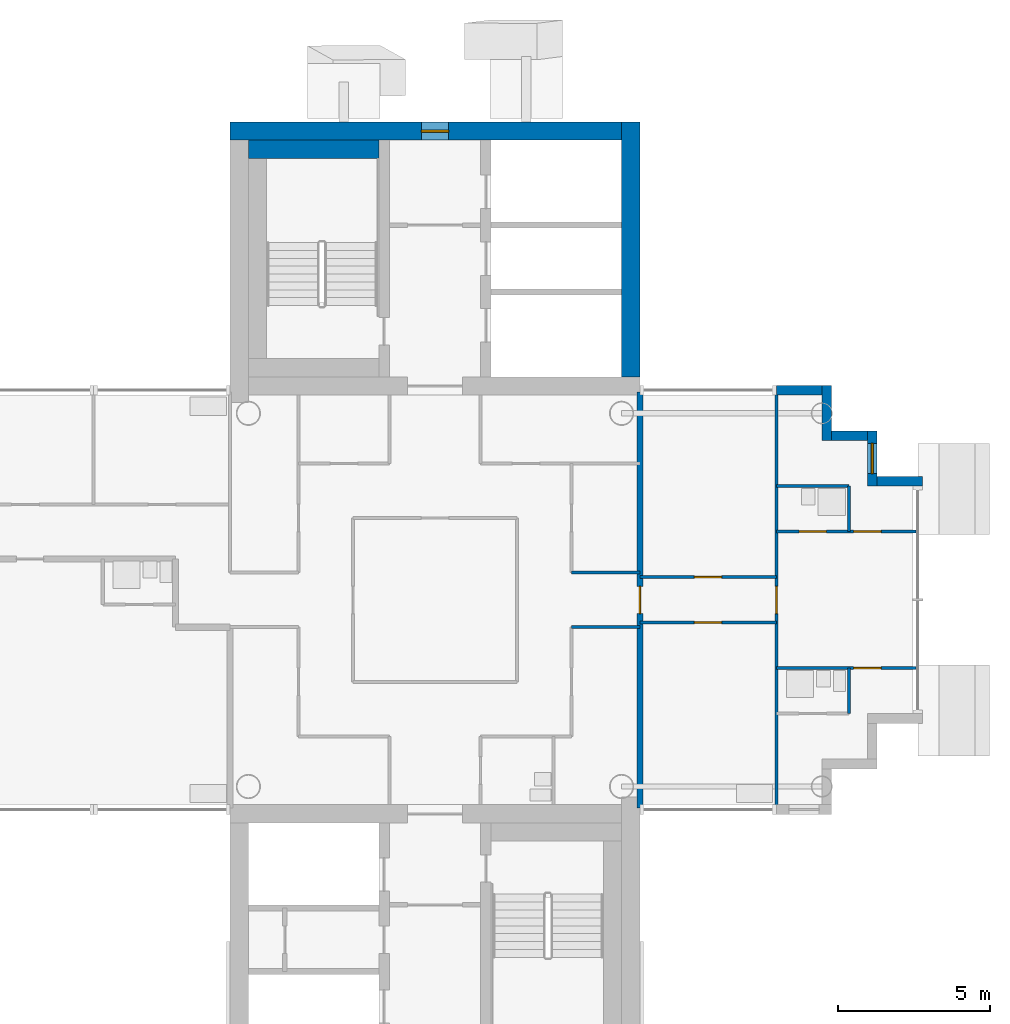
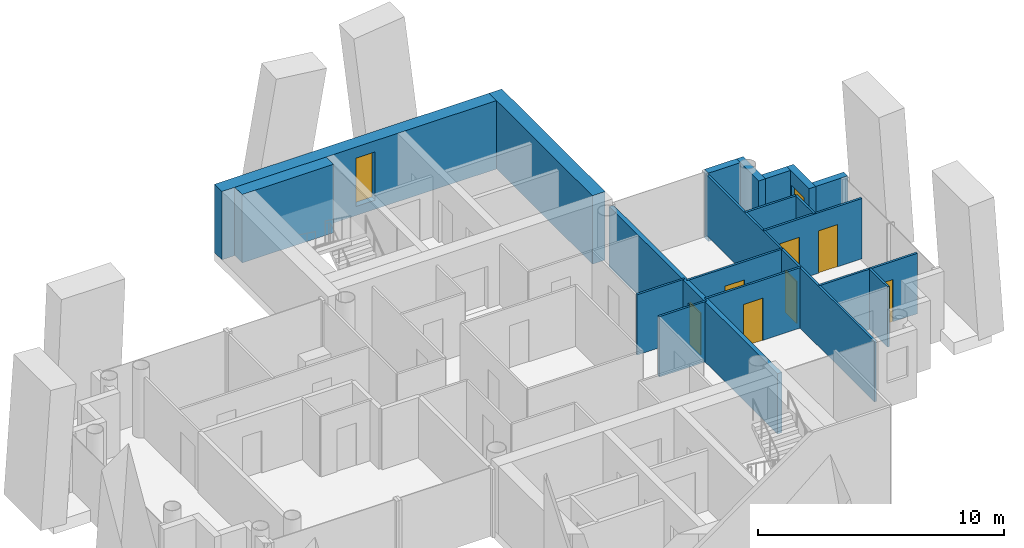
# One storey, part 11 of 19: 19 walls, 7 doors, 2 windows, 9 openings.
"""IFC4 building model written with IfcOpenShell, lengths in metres."""

from ifc_helpers import new_model, si_unit, direction, frame, frame_2d, origin, place, context, subcontext, project, spatial, rectangle, extrude, material, layer, layer_set, type_object, element, fill, save


model = new_model("IFC4")

# Units and contexts
model_context = context("Model", 3, precision=1e-05, world=origin(), true_north=direction((0.0, 1.0)))
body_context = subcontext(model_context, "Body", "Model", "MODEL_VIEW")
ifc_project = project(units=[si_unit("LENGTHUNIT", "METRE"), si_unit("AREAUNIT", "SQUARE_METRE"), si_unit("VOLUMEUNIT", "CUBIC_METRE"), si_unit("PLANEANGLEUNIT", "RADIAN"), si_unit("MASSUNIT", "GRAM", prefix="KILO")], contexts=[model_context])

# Site, building, storey
site_placement = place(None, origin())
site = spatial("IfcSite", under=ifc_project, at=site_placement, CompositionType="ELEMENT")
building_placement = place(site_placement, origin())
building = spatial("IfcBuilding", under=site, at=building_placement, Name="Ipe Terrace Towers", CompositionType="ELEMENT")
storey_placement = place(building_placement, frame((0.0, 0.0, 189.199951171875)))
storey = spatial("IfcBuildingStorey", under=building, at=storey_placement, Name="L52", CompositionType="ELEMENT", Elevation=189.199951171875)

# Wall
ifc_material_1 = material(Name="Concrete C40/50 with buff precast cladding", Category="concrete")
ifc_layer_1 = layer(ifc_material_1, 0.320068359375)
ifc_layer_set_1 = layer_set([ifc_layer_1], Name="BUFF CLADDING WALL 320")
wall_type_1 = type_object("IfcWallType", Name="BUFF CLADDING WALL 320", PredefinedType="STANDARD", material=ifc_layer_set_1)
wall_1_placement = place(storey_placement, frame((52.070068359375, 3.909912109375, -0.300048828125), z_axis=(0.0, 0.0, 1.0), x_axis=(-1.0, 0.0, 0.0)))
element("IfcWall", 1, at=wall_1_placement, inside=storey, type_object=wall_type_1, Name="T2-W-L52-09a wall", PredefinedType="STANDARD", context=body_context, shape_type="SweptSolid", body=[
    extrude(rectangle(XDim=1.5, YDim=0.320068359375, at=frame_2d((0.75, 0.0))), origin(), (0.0, 0.0, 1.0), 3.400146484375),
])

# Wall, opening, window
wall_2_placement = place(storey_placement, frame((50.409912109375, 3.75, -0.300048828125), z_axis=(0.0, 0.0, 1.0), x_axis=(0.0, 1.0, 0.0)))
wall_2 = element("IfcWall", 2, at=wall_2_placement, inside=storey, type_object=wall_type_1, Name="T2-W-L52-10a wall", PredefinedType="STANDARD", context=body_context, shape_type="SweptSolid", body=[
    extrude(rectangle(XDim=1.820068359375, YDim=0.320068359375, at=frame_2d((0.91015625, 0.0))), origin(), (0.0, 0.0, 1.0), 3.400146484375),
])
opening_1_placement = place(wall_2_placement, frame((0.409912109375, 0.0, 1.199951171875)))
opening_1 = element("IfcOpeningElement", 3, at=opening_1_placement, cuts=wall_2, Name="Opening T2-W-05-L52-01", PredefinedType="OPENING", context=body_context, shape_type="SweptSolid", body=[
    extrude(rectangle(XDim=1.0, YDim=1.5, at=frame_2d((0.5, 0.75))), frame((0.0, 0.169921875, 0.0), z_axis=(0.0, -1.0, 0.0), x_axis=(1.0, 0.0, 0.0)), (0.0, 0.0, 1.0), 0.340087890625),
])
ifc_material_2 = material(Name="Glass, clear laminated", Category="glass")
window_type_1 = type_object("IfcWindowType", Name="DWELLING WINDOW 1000 x 1500", PartitioningType="SINGLE_PANEL", PredefinedType="WINDOW", material=ifc_material_2)
window_1_placement = place(opening_1_placement, origin())
window_1 = element("IfcWindow", 4, at=window_1_placement, inside=storey, type_object=window_type_1, Name="W-05 window", OverallHeight=1.5, OverallWidth=1.0, PartitioningType="SINGLE_PANEL", PredefinedType="WINDOW", context=body_context, shape_type="SweptSolid", body=[
    extrude(rectangle(XDim=1.0, YDim=1.5, at=frame_2d((0.5, 0.75))), frame((0.0, 0.030029296875, 0.0), z_axis=(0.0, -1.0, 0.0), x_axis=(1.0, 0.0, 0.0)), (0.0, 0.0, 1.0), 0.06005859375),
])
fill(opening_1, window_1)

# Walls
wall_3_placement = place(storey_placement, frame((50.25, 5.409912109375, -0.300048828125), z_axis=(0.0, 0.0, 1.0), x_axis=(-1.0, 0.0, 0.0)))
element("IfcWall", 5, at=wall_3_placement, inside=storey, type_object=wall_type_1, Name="T2-W-L52-11a wall", PredefinedType="STANDARD", context=body_context, shape_type="SweptSolid", body=[
    extrude(rectangle(XDim=1.179931640625, YDim=0.320068359375, at=frame_2d((0.58984375, 0.0))), origin(), (0.0, 0.0, 1.0), 3.400146484375),
])
wall_4_placement = place(storey_placement, frame((48.909912109375, 5.25, -0.300048828125), z_axis=(0.0, 0.0, 1.0), x_axis=(0.0, 1.0, 0.0)))
element("IfcWall", 6, at=wall_4_placement, inside=storey, type_object=wall_type_1, Name="T2-W-L52-12a wall", PredefinedType="STANDARD", context=body_context, shape_type="SweptSolid", body=[
    extrude(rectangle(XDim=1.820068359375, YDim=0.320068359375, at=frame_2d((0.91015625, 0.0))), origin(), (0.0, 0.0, 1.0), 3.400146484375),
])
wall_5_placement = place(storey_placement, frame((48.75, 6.909912109375, -0.300048828125), z_axis=(0.0, 0.0, 1.0), x_axis=(-1.0, 0.0, 0.0)))
element("IfcWall", 7, at=wall_5_placement, inside=storey, type_object=wall_type_1, Name="T2-W-L52-13a wall", PredefinedType="STANDARD", context=body_context, shape_type="SweptSolid", body=[
    extrude(rectangle(XDim=1.5, YDim=0.320068359375, at=frame_2d((0.75, 0.0))), origin(), (0.0, 0.0, 1.0), 3.400146484375),
])

# Wall, opening, door
ifc_material_3 = material(Name="Gypsum board partition", Category="plasterboard")
ifc_layer_2 = layer(ifc_material_3, 0.10009765625)
ifc_layer_set_2 = layer_set([ifc_layer_2], Name="Gypsum board partition 100 mm")
wall_type_2 = type_object("IfcWallType", Name="Gypsum board partition 100 mm", PredefinedType="PARTITIONING", material=ifc_layer_set_2)
wall_6_placement = place(storey_placement, frame((51.85009765625, -2.25, 0.0), z_axis=(0.0, 0.0, 1.0), x_axis=(-1.0, 0.0, 0.0)))
wall_6 = element("IfcWall", 8, at=wall_6_placement, inside=storey, type_object=wall_type_2, Name="Gypsum board partition T2 L52 W05", PredefinedType="PARTITIONING", context=body_context, shape_type="SweptSolid", body=[
    extrude(rectangle(XDim=4.60009765625, YDim=0.10009765625, at=frame_2d((2.300048828125, 0.0))), origin(), (0.0, 0.0, 1.0), 3.0),
])
opening_2_placement = place(wall_6_placement, frame((1.14990234375, 0.0, 0.0)))
opening_2 = element("IfcOpeningElement", 9, at=opening_2_placement, cuts=wall_6, Name="Opening T2-Z4C-22", PredefinedType="OPENING", context=body_context, shape_type="SweptSolid", body=[
    extrude(rectangle(XDim=0.89990234375, YDim=2.10009765625, at=frame_2d((0.449951171875, 1.050048828125))), frame((0.0, 0.06005859375, 0.0), z_axis=(0.0, -1.0, 0.0), x_axis=(1.0, 0.0, 0.0)), (0.0, 0.0, 1.0), 0.1201171875),
])
ifc_material_4 = material(Name="Timber door leaf", Category="wood")
door_type_1 = type_object("IfcDoorType", Name="Bedroom door 900 x 2100", OperationType="NOTDEFINED", PredefinedType="DOOR", material=ifc_material_4)
door_1_placement = place(opening_2_placement, origin())
door_1 = element("IfcDoor", 10, at=door_1_placement, inside=storey, type_object=door_type_1, Name="Bedroom door T2-Z4C-22", OperationType="SINGLE_SWING_RIGHT", OverallHeight=2.10009765625, OverallWidth=0.89990234375, PredefinedType="DOOR", context=body_context, shape_type="SweptSolid", body=[
    extrude(rectangle(XDim=0.89990234375, YDim=2.10009765625, at=frame_2d((0.449951171875, 1.050048828125))), frame((0.0, 0.02490234375, 0.0), z_axis=(0.0, -1.0, 0.0), x_axis=(1.0, 0.0, 0.0)), (0.0, 0.0, 1.0), 0.050048828125),
])
fill(opening_2, door_1)

# Wall
wall_7_placement = place(storey_placement, frame((42.75, -0.89990234375, 0.0), z_axis=(0.0, 0.0, 1.0), x_axis=(-1.0, 0.0, 0.0)))
element("IfcWall", 11, at=wall_7_placement, inside=storey, type_object=wall_type_2, Name="Gypsum board partition T2 L52 W06", PredefinedType="PARTITIONING", context=body_context, shape_type="SweptSolid", body=[
    extrude(rectangle(XDim=2.25, YDim=0.10009765625, at=frame_2d((1.125, 0.0))), origin(), (0.0, 0.0, 1.0), 3.0),
])

# Wall, opening, door
wall_8_placement = place(storey_placement, frame((47.25, -0.75, 0.0), z_axis=(0.0, 0.0, 1.0), x_axis=(-1.0, 0.0, 0.0)))
wall_8 = element("IfcWall", 12, at=wall_8_placement, inside=storey, type_object=wall_type_2, Name="Gypsum board partition T2 L52 W09", PredefinedType="PARTITIONING", context=body_context, shape_type="SweptSolid", body=[
    extrude(rectangle(XDim=4.5, YDim=0.10009765625, at=frame_2d((2.25, 0.0))), origin(), (0.0, 0.0, 1.0), 3.0),
])
opening_3_placement = place(wall_8_placement, frame((1.800048828125, 0.0, 0.0)))
opening_3 = element("IfcOpeningElement", 13, at=opening_3_placement, cuts=wall_8, Name="Opening T2-Z4C-16", PredefinedType="OPENING", context=body_context, shape_type="SweptSolid", body=[
    extrude(rectangle(XDim=0.89990234375, YDim=2.10009765625, at=frame_2d((0.449951171875, 1.050048828125))), frame((0.0, 0.06005859375, 0.0), z_axis=(0.0, -1.0, 0.0), x_axis=(1.0, 0.0, 0.0)), (0.0, 0.0, 1.0), 0.1201171875),
])
ifc_material_5 = material(Name="Timber door leaf", Category="wood")
door_type_2 = type_object("IfcDoorType", Name="Lounge door 900 x 2100", OperationType="NOTDEFINED", PredefinedType="DOOR", material=ifc_material_5)
door_2_placement = place(opening_3_placement, origin())
door_2 = element("IfcDoor", 14, at=door_2_placement, inside=storey, type_object=door_type_2, Name="Lounge door T2-Z4C-16", OperationType="SINGLE_SWING_LEFT", OverallHeight=2.10009765625, OverallWidth=0.89990234375, PredefinedType="DOOR", context=body_context, shape_type="SweptSolid", body=[
    extrude(rectangle(XDim=0.89990234375, YDim=2.10009765625, at=frame_2d((0.449951171875, 1.050048828125))), frame((0.0, 0.02490234375, 0.0), z_axis=(0.0, -1.0, 0.0), x_axis=(1.0, 0.0, 0.0)), (0.0, 0.0, 1.0), 0.050048828125),
])
fill(opening_3, door_2)

wall_9_placement = place(storey_placement, frame((47.25, 0.75, 0.0), z_axis=(0.0, 0.0, 1.0), x_axis=(-1.0, 0.0, 0.0)))
wall_9 = element("IfcWall", 15, at=wall_9_placement, inside=storey, type_object=wall_type_2, Name="Gypsum board partition T2 L52 W11", PredefinedType="PARTITIONING", context=body_context, shape_type="SweptSolid", body=[
    extrude(rectangle(XDim=4.5, YDim=0.10009765625, at=frame_2d((2.25, 0.0))), origin(), (0.0, 0.0, 1.0), 3.0),
])
opening_4_placement = place(wall_9_placement, frame((1.800048828125, 0.0, 0.0)))
opening_4 = element("IfcOpeningElement", 16, at=opening_4_placement, cuts=wall_9, Name="Opening T2-Z4C-15", PredefinedType="OPENING", context=body_context, shape_type="SweptSolid", body=[
    extrude(rectangle(XDim=0.89990234375, YDim=2.10009765625, at=frame_2d((0.449951171875, 1.050048828125))), frame((0.0, 0.06005859375, 0.0), z_axis=(0.0, -1.0, 0.0), x_axis=(1.0, 0.0, 0.0)), (0.0, 0.0, 1.0), 0.1201171875),
])
door_3_placement = place(opening_4_placement, origin())
door_3 = element("IfcDoor", 17, at=door_3_placement, inside=storey, type_object=door_type_2, Name="Lounge door T2-Z4C-15", OperationType="SINGLE_SWING_RIGHT", OverallHeight=2.10009765625, OverallWidth=0.89990234375, PredefinedType="DOOR", context=body_context, shape_type="SweptSolid", body=[
    extrude(rectangle(XDim=0.89990234375, YDim=2.10009765625, at=frame_2d((0.449951171875, 1.050048828125))), frame((0.0, 0.02490234375, 0.0), z_axis=(0.0, -1.0, 0.0), x_axis=(1.0, 0.0, 0.0)), (0.0, 0.0, 1.0), 0.050048828125),
])
fill(opening_4, door_3)

# Wall
wall_10_placement = place(storey_placement, frame((42.75, 0.89990234375, 0.0), z_axis=(0.0, 0.0, 1.0), x_axis=(-1.0, 0.0, 0.0)))
element("IfcWall", 18, at=wall_10_placement, inside=storey, type_object=wall_type_2, Name="Gypsum board partition T2 L52 W12", PredefinedType="PARTITIONING", context=body_context, shape_type="SweptSolid", body=[
    extrude(rectangle(XDim=2.25, YDim=0.10009765625, at=frame_2d((1.125, 0.0))), origin(), (0.0, 0.0, 1.0), 3.0),
])

# Wall, openings, doors
wall_11_placement = place(storey_placement, frame((51.85009765625, 2.25, 0.0), z_axis=(0.0, 0.0, 1.0), x_axis=(-1.0, 0.0, 0.0)))
wall_11 = element("IfcWall", 19, at=wall_11_placement, inside=storey, type_object=wall_type_2, Name="Gypsum board partition T2 L52 W15", PredefinedType="PARTITIONING", context=body_context, shape_type="SweptSolid", body=[
    extrude(rectangle(XDim=4.60009765625, YDim=0.10009765625, at=frame_2d((2.300048828125, 0.0))), origin(), (0.0, 0.0, 1.0), 3.0),
])
opening_5_placement = place(wall_11_placement, frame((2.949951171875, 0.0, 0.0)))
opening_5 = element("IfcOpeningElement", 20, at=opening_5_placement, cuts=wall_11, Name="Opening T2-Z4C-19", PredefinedType="OPENING", context=body_context, shape_type="SweptSolid", body=[
    extrude(rectangle(XDim=0.89990234375, YDim=2.10009765625, at=frame_2d((0.449951171875, 1.050048828125))), frame((0.0, 0.06005859375, 0.0), z_axis=(0.0, -1.0, 0.0), x_axis=(1.0, 0.0, 0.0)), (0.0, 0.0, 1.0), 0.1201171875),
])
opening_6_placement = place(wall_11_placement, frame((1.14990234375, 0.0, 0.0)))
opening_6 = element("IfcOpeningElement", 21, at=opening_6_placement, cuts=wall_11, Name="Opening T2-Z4C-20", PredefinedType="OPENING", context=body_context, shape_type="SweptSolid", body=[
    extrude(rectangle(XDim=0.89990234375, YDim=2.10009765625, at=frame_2d((0.449951171875, 1.050048828125))), frame((0.0, 0.06005859375, 0.0), z_axis=(0.0, -1.0, 0.0), x_axis=(1.0, 0.0, 0.0)), (0.0, 0.0, 1.0), 0.1201171875),
])
ifc_material_6 = material(Name="Timber door leaf", Category="wood")
door_type_3 = type_object("IfcDoorType", Name="Bathroom door 900 x 2100", OperationType="NOTDEFINED", PredefinedType="DOOR", material=ifc_material_6)
door_4_placement = place(opening_5_placement, origin())
door_4 = element("IfcDoor", 22, at=door_4_placement, inside=storey, type_object=door_type_3, Name="Bathroom door T2-Z4C-19", OperationType="SINGLE_SWING_RIGHT", OverallHeight=2.10009765625, OverallWidth=0.89990234375, PredefinedType="DOOR", context=body_context, shape_type="SweptSolid", body=[
    extrude(rectangle(XDim=0.89990234375, YDim=2.10009765625, at=frame_2d((0.449951171875, 1.050048828125))), frame((0.0, 0.02490234375, 0.0), z_axis=(0.0, -1.0, 0.0), x_axis=(1.0, 0.0, 0.0)), (0.0, 0.0, 1.0), 0.050048828125),
])
fill(opening_5, door_4)
door_5_placement = place(opening_6_placement, origin())
door_5 = element("IfcDoor", 23, at=door_5_placement, inside=storey, type_object=door_type_1, Name="Bedroom door T2-Z4C-20", OperationType="SINGLE_SWING_LEFT", OverallHeight=2.10009765625, OverallWidth=0.89990234375, PredefinedType="DOOR", context=body_context, shape_type="SweptSolid", body=[
    extrude(rectangle(XDim=0.89990234375, YDim=2.10009765625, at=frame_2d((0.449951171875, 1.050048828125))), frame((0.0, 0.02490234375, 0.0), z_axis=(0.0, -1.0, 0.0), x_axis=(1.0, 0.0, 0.0)), (0.0, 0.0, 1.0), 0.050048828125),
])
fill(opening_6, door_5)

# Walls
wall_12_placement = place(storey_placement, frame((49.64990234375, 3.75, 0.0), z_axis=(0.0, 0.0, 1.0), x_axis=(-1.0, 0.0, 0.0)))
element("IfcWall", 24, at=wall_12_placement, inside=storey, type_object=wall_type_2, Name="Gypsum board partition T2 L52 W18", PredefinedType="PARTITIONING", context=body_context, shape_type="SweptSolid", body=[
    extrude(rectangle(XDim=2.39990234375, YDim=0.10009765625, at=frame_2d((1.199951171875, 0.0))), origin(), (0.0, 0.0, 1.0), 3.0),
])
for number, where, z_axis, x_axis, name in (
    (25, (49.64990234375, -3.75, 0.0), (0.0, 0.0, 1.0), (0.0, 1.0, 0.0), "Gypsum board partition T2 L52 W21"),
    (26, (49.64990234375, 2.25, 0.0), (0.0, 0.0, 1.0), (0.0, 1.0, 0.0), "Gypsum board partition T2 L52 W22"),
):
    element("IfcWall", number, at=place(storey_placement, frame(where, z_axis=z_axis, x_axis=x_axis)), inside=storey, type_object=wall_type_2, Name=name, PredefinedType="PARTITIONING", context=body_context, shape_type="SweptSolid", body=[
        extrude(rectangle(XDim=1.5, YDim=0.10009765625, at=frame_2d((0.75, 0.0))), origin(), (0.0, 0.0, 1.0), 3.0),
    ])

# Wall, opening, door
wall_13_placement = place(storey_placement, frame((47.25, -6.85009765625, 0.0), z_axis=(0.0, 0.0, 1.0), x_axis=(0.0, 1.0, 0.0)))
wall_13 = element("IfcWall", 27, at=wall_13_placement, inside=storey, type_object=wall_type_2, Name="Gypsum board partition T2 L52 W23", PredefinedType="PARTITIONING", context=body_context, shape_type="SweptSolid", body=[
    extrude(rectangle(XDim=13.7001953125, YDim=0.10009765625, at=frame_2d((6.85009765625, 0.0))), origin(), (0.0, 0.0, 1.0), 3.0),
])
opening_7_placement = place(wall_13_placement, frame((6.39990234375, 0.0, 0.0)))
opening_7 = element("IfcOpeningElement", 28, at=opening_7_placement, cuts=wall_13, Name="Opening T2-Z4C-18", PredefinedType="OPENING", context=body_context, shape_type="SweptSolid", body=[
    extrude(rectangle(XDim=0.89990234375, YDim=2.10009765625, at=frame_2d((0.449951171875, 1.050048828125))), frame((0.0, 0.06005859375, 0.0), z_axis=(0.0, -1.0, 0.0), x_axis=(1.0, 0.0, 0.0)), (0.0, 0.0, 1.0), 0.1201171875),
])
door_6_placement = place(opening_7_placement, origin())
door_6 = element("IfcDoor", 29, at=door_6_placement, inside=storey, type_object=door_type_2, Name="Lounge door T2-Z4C-18", OperationType="SINGLE_SWING_RIGHT", OverallHeight=2.10009765625, OverallWidth=0.89990234375, PredefinedType="DOOR", context=body_context, shape_type="SweptSolid", body=[
    extrude(rectangle(XDim=0.89990234375, YDim=2.10009765625, at=frame_2d((0.449951171875, 1.050048828125))), frame((0.0, 0.02490234375, 0.0), z_axis=(0.0, -1.0, 0.0), x_axis=(1.0, 0.0, 0.0)), (0.0, 0.0, 1.0), 0.050048828125),
])
fill(opening_7, door_6)

ifc_material_7 = material(Name="Gypsum board party wall", Category="plasterboard")
ifc_layer_3 = layer(ifc_material_7, 0.199951171875)
ifc_layer_set_3 = layer_set([ifc_layer_3], Name="Gypsum board party wall 200 mm")
wall_type_3 = type_object("IfcWallType", Name="Gypsum board party wall 200 mm", PredefinedType="SOLIDWALL", material=ifc_layer_set_3)
wall_14_placement = place(storey_placement, frame((42.75, -6.85009765625, 0.0), z_axis=(0.0, 0.0, 1.0), x_axis=(0.0, 1.0, 0.0)))
wall_14 = element("IfcWall", 30, at=wall_14_placement, inside=storey, type_object=wall_type_3, Name="Gypsum board party wall T2 L52 W24", PredefinedType="SOLIDWALL", context=body_context, shape_type="SweptSolid", body=[
    extrude(rectangle(XDim=13.7001953125, YDim=0.199951171875, at=frame_2d((6.85009765625, 0.0))), origin(), (0.0, 0.0, 1.0), 3.0),
])
opening_8_placement = place(wall_14_placement, frame((6.39990234375, 0.0, 0.0)))
opening_8 = element("IfcOpeningElement", 31, at=opening_8_placement, cuts=wall_14, Name="Opening T2-Z4C-17", PredefinedType="OPENING", context=body_context, shape_type="SweptSolid", body=[
    extrude(rectangle(XDim=0.89990234375, YDim=2.10009765625, at=frame_2d((0.449951171875, 1.050048828125))), frame((0.0, 0.10986328125, 0.0), z_axis=(0.0, -1.0, 0.0), x_axis=(1.0, 0.0, 0.0)), (0.0, 0.0, 1.0), 0.219970703125),
])
ifc_material_8 = material(Name="Fire-rated timber door leaf", Category="wood")
door_type_4 = type_object("IfcDoorType", Name="Flat entrance door 900 x 2100 FD30S", OperationType="NOTDEFINED", PredefinedType="DOOR", material=ifc_material_8)
door_7_placement = place(opening_8_placement, origin())
door_7 = element("IfcDoor", 32, at=door_7_placement, inside=storey, type_object=door_type_4, Name="Flat entrance door T2-Z4C-17", OperationType="SINGLE_SWING_RIGHT", OverallHeight=2.10009765625, OverallWidth=0.89990234375, PredefinedType="DOOR", context=body_context, shape_type="SweptSolid", body=[
    extrude(rectangle(XDim=0.89990234375, YDim=2.10009765625, at=frame_2d((0.449951171875, 1.050048828125))), frame((0.0, 0.02490234375, 0.0), z_axis=(0.0, -1.0, 0.0), x_axis=(1.0, 0.0, 0.0)), (0.0, 0.0, 1.0), 0.050048828125),
])
fill(opening_8, door_7)

# Walls
ifc_material_9 = material(Name="Concrete C40/50", Category="concrete")
ifc_layer_4 = layer(ifc_material_9, 0.60009765625)
ifc_layer_set_4 = layer_set([ifc_layer_4], Name="RW600 CORE INFILL WALL 600 C40-50")
wall_type_4 = type_object("IfcWallType", Name="RW600 CORE INFILL WALL 600 C40-50", PredefinedType="SHEAR", material=ifc_layer_set_4)
wall_15_placement = place(storey_placement, frame((34.14990234375, 14.85009765625, 0.0), z_axis=(0.0, 0.0, 1.0), x_axis=(-1.0, 0.0, 0.0)))
element("IfcWall", 33, at=wall_15_placement, inside=storey, type_object=wall_type_4, Name="Core infill wall T2-C1-far", PredefinedType="SHEAR", context=body_context, shape_type="SweptSolid", body=[
    extrude(rectangle(XDim=4.2998046875, YDim=0.60009765625, at=frame_2d((2.14990234375, 0.0))), origin(), (0.0, 0.0, 1.0), 3.400146484375),
])
ifc_material_10 = material(Name="Concrete C40/50", Category="concrete")
ifc_layer_5 = layer(ifc_material_10, 0.60009765625)
ifc_layer_set_5 = layer_set([ifc_layer_5], Name="RW600 CORE WALL 600 C40-50")
wall_type_5 = type_object("IfcWallType", Name="RW600 CORE WALL 600 C40-50", PredefinedType="SHEAR", material=ifc_layer_set_5)
wall_16_placement = place(storey_placement, frame((42.449951171875, 7.35009765625, 0.0), z_axis=(0.0, 0.0, 1.0), x_axis=(0.0, 1.0, 0.0)))
element("IfcWall", 34, at=wall_16_placement, inside=storey, type_object=wall_type_5, Name="Core wall T2-C1-Z4-W02", PredefinedType="SHEAR", context=body_context, shape_type="SweptSolid", body=[
    extrude(rectangle(XDim=8.39990234375, YDim=0.60009765625, at=frame_2d((4.199951171875, 0.0))), origin(), (0.0, 0.0, 1.0), 3.400146484375),
])

# Wall, opening, window
wall_17_placement = place(storey_placement, frame((42.14990234375, 15.449951171875, 0.0), z_axis=(0.0, 0.0, 1.0), x_axis=(-1.0, 0.0, 0.0)))
wall_17 = element("IfcWall", 35, at=wall_17_placement, inside=storey, type_object=wall_type_5, Name="Core wall T2-C1-Z4-W03", PredefinedType="SHEAR", context=body_context, shape_type="SweptSolid", body=[
    extrude(rectangle(XDim=12.89990234375, YDim=0.60009765625, at=frame_2d((6.449951171875, 0.0))), origin(), (0.0, 0.0, 1.0), 3.400146484375),
])
opening_9_placement = place(wall_17_placement, frame((5.699951171875, 0.0, 0.449951171875)))
opening_9 = element("IfcOpeningElement", 36, at=opening_9_placement, cuts=wall_17, Name="Opening T2-C1-W-01-L52", PredefinedType="OPENING", context=body_context, shape_type="SweptSolid", body=[
    extrude(rectangle(XDim=0.89990234375, YDim=2.39990234375, at=frame_2d((0.449951171875, 1.199951171875))), frame((0.0, 0.31005859375, 0.0), z_axis=(0.0, -1.0, 0.0), x_axis=(1.0, 0.0, 0.0)), (0.0, 0.0, 1.0), 0.6201171875),
])
ifc_material_11 = material(Name="Fire-resistant glazing EI 60", Category="glass")
window_type_2 = type_object("IfcWindowType", Name="CORRIDOR END SLOT WINDOW 900 x 2400 EI 60", PartitioningType="SINGLE_PANEL", PredefinedType="WINDOW", material=ifc_material_11)
window_2_placement = place(opening_9_placement, origin())
window_2 = element("IfcWindow", 37, at=window_2_placement, inside=storey, type_object=window_type_2, Name="W-01 window", OverallHeight=2.39990234375, OverallWidth=0.89990234375, PartitioningType="SINGLE_PANEL", PredefinedType="WINDOW", context=body_context, shape_type="SweptSolid", body=[
    extrude(rectangle(XDim=0.89990234375, YDim=2.39990234375, at=frame_2d((0.449951171875, 1.199951171875))), frame((0.0, 0.030029296875, 0.0), z_axis=(0.0, -1.0, 0.0), x_axis=(1.0, 0.0, 0.0)), (0.0, 0.0, 1.0), 0.06005859375),
])
fill(opening_9, window_2)

save(model, "model.ifc")
